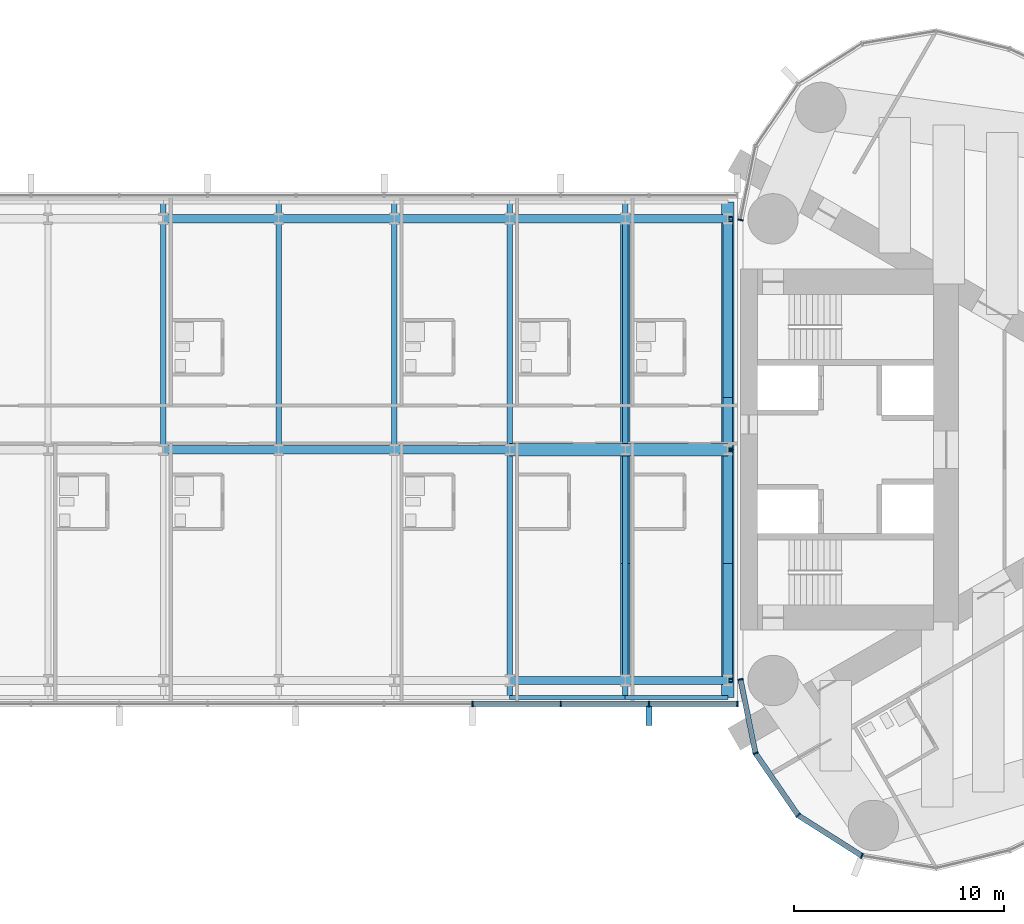
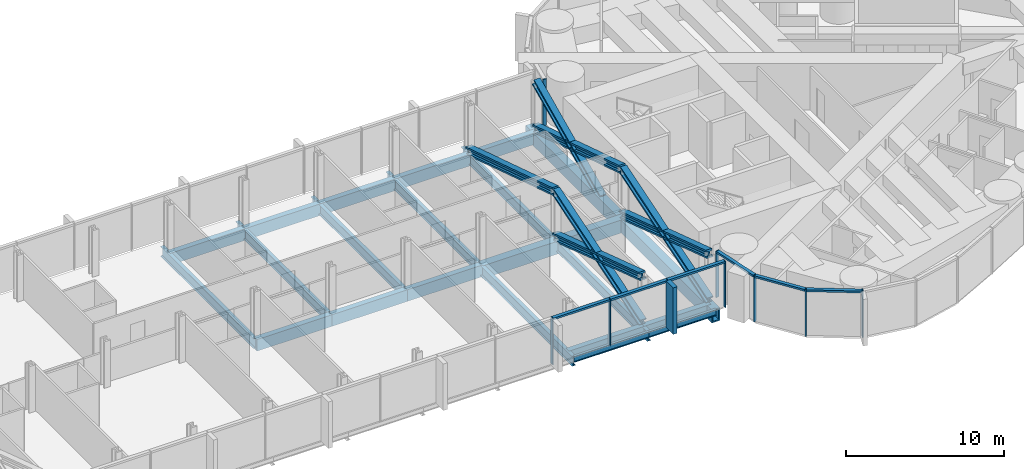
# One storey, part 8 of 23: 23 beams, 23 members, 2 elements without a shape of their own.
"""IFC4 building model written with IfcOpenShell, lengths in metres."""

from ifc_helpers import new_model, si_unit, direction, frame, origin, origin_2d, place, context, subcontext, project, spatial, rectangle, hollow_rectangle, i_section, extrude, material, material_profile, profile_set, type_object, element, aggregate, save


model = new_model("IFC4")

# Units and contexts
model_context = context("Model", 3, precision=1e-05, world=origin(), true_north=direction((0.0, 1.0)))
body_context = subcontext(model_context, "Body", "Model", "MODEL_VIEW")
ifc_project = project(units=[si_unit("LENGTHUNIT", "METRE"), si_unit("AREAUNIT", "SQUARE_METRE"), si_unit("VOLUMEUNIT", "CUBIC_METRE"), si_unit("PLANEANGLEUNIT", "RADIAN"), si_unit("MASSUNIT", "GRAM", prefix="KILO")], contexts=[model_context])

# Site, building, storey
site_placement = place(None, origin())
site = spatial("IfcSite", under=ifc_project, at=site_placement, CompositionType="ELEMENT")
building_placement = place(site_placement, origin())
building = spatial("IfcBuilding", under=site, at=building_placement, Name="Lancet Gate Hotel", CompositionType="ELEMENT")
storey_placement = place(building_placement, frame((0.0, 0.0, 240.5)))
storey = spatial("IfcBuildingStorey", under=building, at=storey_placement, Name="L64", CompositionType="ELEMENT", Elevation=240.5)

# Curtain wall, members
ifc_material_1 = material(Name="Aluminium curtain wall", Category="aluminium")
curtain_wall_type_1 = type_object("IfcCurtainWallType", Name="Tower unitised curtain wall", PredefinedType="USERDEFINED", material=ifc_material_1)
curtain_wall_1_placement = place(storey_placement, origin())
curtain_wall_1 = element("IfcCurtainWall", 1, at=curtain_wall_1_placement, inside=storey, type_object=curtain_wall_type_1, Name="T2 L64 curtain wall 1", ObjectType="UNITISED CURTAIN WALL", PredefinedType="USERDEFINED")
ifc_material_2 = material(Name="Aluminium mullion", Category="aluminium")
ifc_material_profile_1 = material_profile(ifc_material_2, rectangle(XDim=0.06494140625, YDim=0.25, at=origin_2d()), Name="MULLION 65x250")
ifc_profile_set_1 = profile_set([ifc_material_profile_1], Name="Aluminium mullion")
member_type_1 = type_object("IfcMemberType", Name="Aluminium mullion 65x250", PredefinedType="MULLION", material=ifc_profile_set_1)
member_1_placement = place(storey_placement, frame((27.5, -10.947998046875, 0.0), z_axis=(0.0, 0.0, 1.0), x_axis=(0.199533486841, -0.979891008036, 0.0)))
member_1 = element("IfcMember", 2, at=member_1_placement, type_object=member_type_1, Name="T2 L64 curtain wall 1 mullion 1", PredefinedType="MULLION", context=body_context, shape_type="SweptSolid", body=[
    extrude(rectangle(XDim=0.06494140625, YDim=0.25, at=origin_2d()), origin(), (0.0, 0.0, 1.0), 3.60009765625),
])
member_2_placement = place(storey_placement, frame((28.216552734375, -14.467529296875, 0.0), z_axis=(0.0, 0.0, 1.0), x_axis=(0.391042139098, -0.920372775265, 0.0)))
member_2 = element("IfcMember", 3, at=member_2_placement, type_object=member_type_1, Name="T2 L64 curtain wall 1 mullion 2", PredefinedType="MULLION", context=body_context, shape_type="SweptSolid", body=[
    extrude(rectangle(XDim=0.06494140625, YDim=0.25, at=origin_2d()), origin(), (0.0, 0.0, 1.0), 3.60009765625),
])
member_3_placement = place(storey_placement, frame((30.25244140625, -17.42626953125, 0.0), z_axis=(0.0, 0.0, 1.0), x_axis=(0.719809077627, -0.694172090886, 0.0)))
member_3 = element("IfcMember", 4, at=member_3_placement, type_object=member_type_1, Name="T2 L64 curtain wall 1 mullion 3", PredefinedType="MULLION", context=body_context, shape_type="SweptSolid", body=[
    extrude(rectangle(XDim=0.06494140625, YDim=0.25, at=origin_2d()), origin(), (0.0, 0.0, 1.0), 3.60009765625),
])
member_4_placement = place(storey_placement, frame((33.283203125, -19.353515625, 0.0), z_axis=(0.0, 0.0, 1.0), x_axis=(0.93394321776, -0.357421412343, 0.0)))
member_4 = element("IfcMember", 5, at=member_4_placement, type_object=member_type_1, Name="T2 L64 curtain wall 1 mullion 4", PredefinedType="MULLION", context=body_context, shape_type="SweptSolid", body=[
    extrude(rectangle(XDim=0.06494140625, YDim=0.25, at=origin_2d()), origin(), (0.0, 0.0, 1.0), 3.60009765625),
])
member_5_placement = place(storey_placement, frame((27.5, 10.947998046875, 0.0), z_axis=(0.0, 0.0, 1.0), x_axis=(-0.199533486841, -0.979891008036, 0.0)))
member_5 = element("IfcMember", 6, at=member_5_placement, type_object=member_type_1, Name="T2 L64 curtain wall 1 mullion 27", PredefinedType="MULLION", context=body_context, shape_type="SweptSolid", body=[
    extrude(rectangle(XDim=0.06494140625, YDim=0.25, at=origin_2d()), origin(), (0.0, 0.0, 1.0), 3.60009765625),
])

ifc_material_3 = material(Name="Aluminium curtain wall", Category="aluminium")
curtain_wall_type_2 = type_object("IfcCurtainWallType", Name="Bridge block curtain wall", PredefinedType="USERDEFINED", material=ifc_material_3)
curtain_wall_2_placement = place(storey_placement, origin())
curtain_wall_2 = element("IfcCurtainWall", 7, at=curtain_wall_2_placement, inside=storey, type_object=curtain_wall_type_2, Name="Bridge block L64 curtain wall S", ObjectType="UNITISED CURTAIN WALL", PredefinedType="USERDEFINED")
member_6_placement = place(storey_placement, frame((14.726806640625, -12.1201171875, 0.0), z_axis=(0.0, 0.0, 1.0), x_axis=(1.0, 0.0, 0.0)))
member_6 = element("IfcMember", 8, at=member_6_placement, type_object=member_type_1, Name="Bridge block L64 curtain wall S mullion 11", PredefinedType="MULLION", context=body_context, shape_type="SweptSolid", body=[
    extrude(rectangle(XDim=0.06494140625, YDim=0.25, at=origin_2d()), origin(), (0.0, 0.0, 1.0), 3.60009765625),
])
member_7_placement = place(storey_placement, frame((18.9345703125, -12.1201171875, 0.0), z_axis=(0.0, 0.0, 1.0), x_axis=(1.0, 0.0, 0.0)))
member_7 = element("IfcMember", 9, at=member_7_placement, type_object=member_type_1, Name="Bridge block L64 curtain wall S mullion 12", PredefinedType="MULLION", context=body_context, shape_type="SweptSolid", body=[
    extrude(rectangle(XDim=0.06494140625, YDim=0.25, at=origin_2d()), origin(), (0.0, 0.0, 1.0), 3.60009765625),
])
member_8_placement = place(storey_placement, frame((23.142333984375, -12.1201171875, 0.0), z_axis=(0.0, 0.0, 1.0), x_axis=(1.0, 0.0, 0.0)))
member_8 = element("IfcMember", 10, at=member_8_placement, type_object=member_type_1, Name="Bridge block L64 curtain wall S mullion 13", PredefinedType="MULLION", context=body_context, shape_type="SweptSolid", body=[
    extrude(rectangle(XDim=0.06494140625, YDim=0.25, at=origin_2d()), origin(), (0.0, 0.0, 1.0), 3.60009765625),
])
member_9_placement = place(storey_placement, frame((27.35009765625, -12.1201171875, 0.0), z_axis=(0.0, 0.0, 1.0), x_axis=(1.0, 0.0, 0.0)))
member_9 = element("IfcMember", 11, at=member_9_placement, type_object=member_type_1, Name="Bridge block L64 curtain wall S mullion 14", PredefinedType="MULLION", context=body_context, shape_type="SweptSolid", body=[
    extrude(rectangle(XDim=0.06494140625, YDim=0.25, at=origin_2d()), origin(), (0.0, 0.0, 1.0), 3.60009765625),
])

# Member
ifc_material_4 = material(Name="Aluminium transom", Category="aluminium")
ifc_material_profile_2 = material_profile(ifc_material_4, rectangle(XDim=0.25, YDim=0.14990234375, at=origin_2d()), Name="TRANSOM 250x150")
ifc_profile_set_2 = profile_set([ifc_material_profile_2], Name="Aluminium transom")
member_type_2 = type_object("IfcMemberType", Name="Aluminium transom 250x150", PredefinedType="USERDEFINED", material=ifc_profile_set_2)
member_10_placement = place(storey_placement, frame((27.506591796875, -10.97998046875, 3.52490234375), z_axis=(0.19952323725, -0.979893095086, 0.0), x_axis=(0.979893095086, 0.19952323725, 0.0)))
member_10 = element("IfcMember", 12, at=member_10_placement, type_object=member_type_2, Name="T2 L64 curtain wall 1 transom 1", ObjectType="TRANSOM", PredefinedType="USERDEFINED", context=body_context, shape_type="SweptSolid", body=[
    extrude(rectangle(XDim=0.25, YDim=0.14990234375, at=origin_2d()), origin(), (0.0, 0.0, 1.0), 3.5263671875),
])

member_11_placement = place(storey_placement, frame((28.235107421875, -14.494140625, 3.52490234375), z_axis=(0.566813768052, -0.82384595183, 0.0), x_axis=(0.82384595183, 0.566813768052, 0.0)))
member_11 = element("IfcMember", 13, at=member_11_placement, type_object=member_type_2, Name="T2 L64 curtain wall 1 transom 2", ObjectType="TRANSOM", PredefinedType="USERDEFINED", context=body_context, shape_type="SweptSolid", body=[
    extrude(rectangle(XDim=0.25, YDim=0.14990234375, at=origin_2d()), origin(), (0.0, 0.0, 1.0), 3.52685546875),
])

member_12_placement = place(storey_placement, frame((30.27978515625, -17.44384765625, 3.52490234375), z_axis=(0.84385811281, -0.536566384938, 0.0), x_axis=(0.536566384938, 0.84385811281, 0.0)))
member_12 = element("IfcMember", 14, at=member_12_placement, type_object=member_type_2, Name="T2 L64 curtain wall 1 transom 3", ObjectType="TRANSOM", PredefinedType="USERDEFINED", context=body_context, shape_type="SweptSolid", body=[
    extrude(rectangle(XDim=0.25, YDim=0.14990234375, at=origin_2d()), origin(), (0.0, 0.0, 1.0), 3.52685546875),
])

aggregate(curtain_wall_1, [member_1, member_2, member_3, member_4, member_5, member_10, member_11, member_12])

member_13_placement = place(storey_placement, frame((14.759521484375, -12.1201171875, 3.52490234375), z_axis=(1.0, 0.0, 0.0), x_axis=(0.0, 1.0, 0.0)))
member_13 = element("IfcMember", 15, at=member_13_placement, type_object=member_type_2, Name="Bridge block L64 curtain wall S transom 11", ObjectType="TRANSOM", PredefinedType="USERDEFINED", context=body_context, shape_type="SweptSolid", body=[
    extrude(rectangle(XDim=0.25, YDim=0.14990234375, at=origin_2d()), origin(), (0.0, 0.0, 1.0), 4.142578125),
])

member_14_placement = place(storey_placement, frame((18.967041015625, -12.1201171875, 3.52490234375), z_axis=(1.0, 0.0, 0.0), x_axis=(0.0, 1.0, 0.0)))
member_14 = element("IfcMember", 16, at=member_14_placement, type_object=member_type_2, Name="Bridge block L64 curtain wall S transom 12", ObjectType="TRANSOM", PredefinedType="USERDEFINED", context=body_context, shape_type="SweptSolid", body=[
    extrude(rectangle(XDim=0.25, YDim=0.14990234375, at=origin_2d()), origin(), (0.0, 0.0, 1.0), 4.142822265625),
])

member_15_placement = place(storey_placement, frame((23.1748046875, -12.1201171875, 3.52490234375), z_axis=(1.0, 0.0, 0.0), x_axis=(0.0, 1.0, 0.0)))
member_15 = element("IfcMember", 17, at=member_15_placement, type_object=member_type_2, Name="Bridge block L64 curtain wall S transom 13", ObjectType="TRANSOM", PredefinedType="USERDEFINED", context=body_context, shape_type="SweptSolid", body=[
    extrude(rectangle(XDim=0.25, YDim=0.14990234375, at=origin_2d()), origin(), (0.0, 0.0, 1.0), 4.142578125),
])

# Members
ifc_material_5 = material(Name="Steel S460", Category="steel")
ifc_material_profile_3 = material_profile(ifc_material_5, i_section(OverallWidth=0.4541015625, OverallDepth=0.569091796875, WebThickness=0.077880859375, FlangeThickness=0.125, FilletRadius=0.02001953125, at=origin_2d()), Name="HD 400x1086")
ifc_profile_set_3 = profile_set([ifc_material_profile_3], Name="Steel S460")
member_type_3 = type_object("IfcMemberType", Name="Block brace HD 400x1086", PredefinedType="BRACE", material=ifc_profile_set_3)
member_16_placement = place(storey_placement, frame((26.89990234375, -11.0, 0.0), z_axis=(0.0, 0.952925780013, 0.303203657277), x_axis=(-1.0, 0.0, 0.0)))
element("IfcMember", 18, at=member_16_placement, inside=storey, type_object=member_type_3, Name="Block brace EY11 L64", PredefinedType="BRACE", context=body_context, shape_type="SweptSolid", body=[
    extrude(i_section(OverallWidth=0.4541015625, OverallDepth=0.569091796875, WebThickness=0.077880859375, FlangeThickness=0.125, FilletRadius=0.02001953125, at=origin_2d()), origin(), (0.0, 0.0, 1.0), 11.54345703125),
])
member_17_placement = place(storey_placement, frame((26.89990234375, 0.0, 0.0), z_axis=(0.0, -0.950394634814, 0.311046681573), x_axis=(1.0, 0.0, 0.0)))
element("IfcMember", 19, at=member_17_placement, inside=storey, type_object=member_type_3, Name="Block brace EY12 L64", PredefinedType="BRACE", context=body_context, shape_type="SweptSolid", body=[
    extrude(i_section(OverallWidth=0.4541015625, OverallDepth=0.569091796875, WebThickness=0.077880859375, FlangeThickness=0.125, FilletRadius=0.02001953125, at=origin_2d()), origin(), (0.0, 0.0, 1.0), 11.57421875),
])
for number, where, z_axis, x_axis, name in (
    (20, (26.89990234375, 11.0, 0.0), (0.0, -0.952925780013, 0.303203657277), (1.0, 0.0, 0.0), "Block brace EY22 L64"),
    (21, (22.0, -11.0, 0.0), (0.0, 0.952925780013, 0.303203657277), (-1.0, 0.0, 0.0), "Block brace EI11 L64"),
):
    element("IfcMember", number, at=place(storey_placement, frame(where, z_axis=z_axis, x_axis=x_axis)), inside=storey, type_object=member_type_3, Name=name, PredefinedType="BRACE", context=body_context, shape_type="SweptSolid", body=[
        extrude(i_section(OverallWidth=0.4541015625, OverallDepth=0.569091796875, WebThickness=0.077880859375, FlangeThickness=0.125, FilletRadius=0.02001953125, at=origin_2d()), origin(), (0.0, 0.0, 1.0), 11.54345703125),
    ])
member_18_placement = place(storey_placement, frame((22.0, 0.0, 0.0), z_axis=(0.0, -0.950394634814, 0.311046681573), x_axis=(1.0, 0.0, 0.0)))
element("IfcMember", 22, at=member_18_placement, inside=storey, type_object=member_type_3, Name="Block brace EI12 L64", PredefinedType="BRACE", context=body_context, shape_type="SweptSolid", body=[
    extrude(i_section(OverallWidth=0.4541015625, OverallDepth=0.569091796875, WebThickness=0.077880859375, FlangeThickness=0.125, FilletRadius=0.02001953125, at=origin_2d()), origin(), (0.0, 0.0, 1.0), 11.57421875),
])
member_19_placement = place(storey_placement, frame((22.0, 11.0, 0.0), z_axis=(0.0, -0.952925780013, 0.303203657277), x_axis=(1.0, 0.0, 0.0)))
element("IfcMember", 23, at=member_19_placement, inside=storey, type_object=member_type_3, Name="Block brace EI22 L64", PredefinedType="BRACE", context=body_context, shape_type="SweptSolid", body=[
    extrude(i_section(OverallWidth=0.4541015625, OverallDepth=0.569091796875, WebThickness=0.077880859375, FlangeThickness=0.125, FilletRadius=0.02001953125, at=origin_2d()), origin(), (0.0, 0.0, 1.0), 11.54345703125),
])
member_20_placement = place(storey_placement, frame((26.89990234375, 2.60009765625, -0.300048828125), z_axis=(0.0, 0.907001056309, 0.42112834606), x_axis=(-1.0, 0.0, 0.0)))
element("IfcMember", 24, at=member_20_placement, inside=storey, type_object=member_type_3, Name="Block brace EY23 L64", PredefinedType="BRACE", context=body_context, shape_type="SweptSolid", body=[
    extrude(i_section(OverallWidth=0.4541015625, OverallDepth=0.569091796875, WebThickness=0.077880859375, FlangeThickness=0.125, FilletRadius=0.02001953125, at=origin_2d()), origin(), (0.0, 0.0, 1.0), 9.26123046875),
])

# Beams
ifc_material_6 = material(Name="Steel S355", Category="steel")
ifc_material_profile_4 = material_profile(ifc_material_6, i_section(OverallWidth=0.19140625, OverallDepth=0.4599609375, WebThickness=0.010009765625, FlangeThickness=0.01611328125, FilletRadius=0.01025390625, at=origin_2d()), Name="UKB 457x191x82")
ifc_profile_set_4 = profile_set([ifc_material_profile_4], Name="Steel S355")
beam_type_1 = type_object("IfcBeamType", Name="Block edge beam UKB 457x191x82", PredefinedType="SPANDREL", material=ifc_profile_set_4)
beam_1_placement = place(storey_placement, frame((16.5, -11.800048828125, -0.429931640625), z_axis=(1.0, 0.0, 0.0), x_axis=(0.0, 1.0, 0.0)))
element("IfcBeam", 25, at=beam_1_placement, inside=storey, type_object=beam_type_1, Name="Block edge beam S 8-9 L64", PredefinedType="SPANDREL", context=body_context, shape_type="SweptSolid", body=[
    extrude(i_section(OverallWidth=0.19140625, OverallDepth=0.4599609375, WebThickness=0.010009765625, FlangeThickness=0.01611328125, FilletRadius=0.01025390625, at=origin_2d()), origin(), (0.0, 0.0, 1.0), 5.5),
])
beam_2_placement = place(storey_placement, frame((22.0, -11.800048828125, -0.429931640625), z_axis=(1.0, 0.0, 0.0), x_axis=(0.0, 1.0, 0.0)))
element("IfcBeam", 26, at=beam_2_placement, inside=storey, type_object=beam_type_1, Name="Block edge beam S 9-10 L64", PredefinedType="SPANDREL", context=body_context, shape_type="SweptSolid", body=[
    extrude(i_section(OverallWidth=0.19140625, OverallDepth=0.4599609375, WebThickness=0.010009765625, FlangeThickness=0.01611328125, FilletRadius=0.01025390625, at=origin_2d()), origin(), (0.0, 0.0, 1.0), 4.89990234375),
])
ifc_material_7 = material(Name="Steel S460QL", Category="steel")
ifc_material_profile_5 = material_profile(ifc_material_7, hollow_rectangle(XDim=0.60009765625, YDim=1.0, WallThickness=0.10009765625, at=origin_2d()), Name="BOX 1000x600x100")
ifc_profile_set_5 = profile_set([ifc_material_profile_5], Name="Steel S460QL")
beam_type_2 = type_object("IfcBeamType", Name="Block end beam BOX 1000x600x100", PredefinedType="BEAM", material=ifc_profile_set_5)
for number, where, z_axis, x_axis, name in (
    (27, (26.89990234375, -11.800048828125, -0.699951171875), (0.0, 1.0, 0.0), (-1.0, 0.0, 0.0), "Block beam x10 S L64"),
    (28, (26.89990234375, 0.0, -0.699951171875), (0.0, 1.0, 0.0), (-1.0, 0.0, 0.0), "Block beam x10 N L64"),
):
    element("IfcBeam", number, at=place(storey_placement, frame(where, z_axis=z_axis, x_axis=x_axis)), inside=storey, type_object=beam_type_2, Name=name, PredefinedType="BEAM", context=body_context, shape_type="SweptSolid", body=[
        extrude(hollow_rectangle(XDim=0.60009765625, YDim=1.0, WallThickness=0.10009765625, at=origin_2d()), origin(), (0.0, 0.0, 1.0), 11.800048828125),
    ])
ifc_material_8 = material(Name="Steel S460QL", Category="steel")
ifc_material_profile_6 = material_profile(ifc_material_8, hollow_rectangle(XDim=0.60009765625, YDim=1.0, WallThickness=0.080078125, at=origin_2d()), Name="BOX 1000x600x80")
ifc_profile_set_6 = profile_set([ifc_material_profile_6], Name="Steel S460QL")
beam_type_3 = type_object("IfcBeamType", Name="Block primary beam BOX 1000x600x80", PredefinedType="BEAM", material=ifc_profile_set_6)
beam_3_placement = place(storey_placement, frame((16.5, 0.0, -0.699951171875), z_axis=(1.0, 0.0, 0.0), x_axis=(0.0, 1.0, 0.0)))
element("IfcBeam", 29, at=beam_3_placement, inside=storey, type_object=beam_type_3, Name="Block primary beam M 9 L64", PredefinedType="BEAM", context=body_context, shape_type="SweptSolid", body=[
    extrude(hollow_rectangle(XDim=0.60009765625, YDim=1.0, WallThickness=0.080078125, at=origin_2d()), origin(), (0.0, 0.0, 1.0), 5.5),
])
beam_4_placement = place(storey_placement, frame((22.0, 0.0, -0.699951171875), z_axis=(1.0, 0.0, 0.0), x_axis=(0.0, 1.0, 0.0)))
element("IfcBeam", 30, at=beam_4_placement, inside=storey, type_object=beam_type_3, Name="Block primary beam M 10 L64", PredefinedType="BEAM", context=body_context, shape_type="SweptSolid", body=[
    extrude(hollow_rectangle(XDim=0.60009765625, YDim=1.0, WallThickness=0.080078125, at=origin_2d()), origin(), (0.0, 0.0, 1.0), 4.89990234375),
])
ifc_material_9 = material(Name="Steel S355", Category="steel")
ifc_material_profile_7 = material_profile(ifc_material_9, hollow_rectangle(XDim=0.39990234375, YDim=0.89990234375, WallThickness=0.0400390625, at=origin_2d()), Name="BOX 900x400x40")
ifc_profile_set_7 = profile_set([ifc_material_profile_7], Name="Steel S355")
beam_type_4 = type_object("IfcBeamType", Name="Block primary beam BOX 900x400x40", PredefinedType="BEAM", material=ifc_profile_set_7)
beam_5_placement = place(storey_placement, frame((16.5, -11.0, -0.64990234375), z_axis=(1.0, 0.0, 0.0), x_axis=(0.0, 1.0, 0.0)))
element("IfcBeam", 31, at=beam_5_placement, inside=storey, type_object=beam_type_4, Name="Block primary beam S 9 L64", PredefinedType="BEAM", context=body_context, shape_type="SweptSolid", body=[
    extrude(hollow_rectangle(XDim=0.39990234375, YDim=0.89990234375, WallThickness=0.0400390625, at=origin_2d()), origin(), (0.0, 0.0, 1.0), 5.5),
])
beam_6_placement = place(storey_placement, frame((22.0, -11.0, -0.64990234375), z_axis=(1.0, 0.0, 0.0), x_axis=(0.0, 1.0, 0.0)))
element("IfcBeam", 32, at=beam_6_placement, inside=storey, type_object=beam_type_4, Name="Block primary beam S 10 L64", PredefinedType="BEAM", context=body_context, shape_type="SweptSolid", body=[
    extrude(hollow_rectangle(XDim=0.39990234375, YDim=0.89990234375, WallThickness=0.0400390625, at=origin_2d()), origin(), (0.0, 0.0, 1.0), 4.89990234375),
])
for number, where, z_axis, x_axis, name in (
    (33, (0.0, 0.0, -0.64990234375), (1.0, 0.0, 0.0), (0.0, 1.0, 0.0), "Block primary beam M 6 L64"),
    (34, (5.5, 0.0, -0.64990234375), (1.0, 0.0, 0.0), (0.0, 1.0, 0.0), "Block primary beam M 7 L64"),
    (35, (11.0, 0.0, -0.64990234375), (1.0, 0.0, 0.0), (0.0, 1.0, 0.0), "Block primary beam M 8 L64"),
    (36, (0.0, 11.0, -0.64990234375), (1.0, 0.0, 0.0), (0.0, 1.0, 0.0), "Block primary beam N 6 L64"),
    (37, (5.5, 11.0, -0.64990234375), (1.0, 0.0, 0.0), (0.0, 1.0, 0.0), "Block primary beam N 7 L64"),
    (38, (11.0, 11.0, -0.64990234375), (1.0, 0.0, 0.0), (0.0, 1.0, 0.0), "Block primary beam N 8 L64"),
    (39, (16.5, 11.0, -0.64990234375), (1.0, 0.0, 0.0), (0.0, 1.0, 0.0), "Block primary beam N 9 L64"),
):
    element("IfcBeam", number, at=place(storey_placement, frame(where, z_axis=z_axis, x_axis=x_axis)), inside=storey, type_object=beam_type_4, Name=name, PredefinedType="BEAM", context=body_context, shape_type="SweptSolid", body=[
        extrude(hollow_rectangle(XDim=0.39990234375, YDim=0.89990234375, WallThickness=0.0400390625, at=origin_2d()), origin(), (0.0, 0.0, 1.0), 5.5),
    ])
beam_7_placement = place(storey_placement, frame((22.0, 11.0, -0.64990234375), z_axis=(1.0, 0.0, 0.0), x_axis=(0.0, 1.0, 0.0)))
element("IfcBeam", 40, at=beam_7_placement, inside=storey, type_object=beam_type_4, Name="Block primary beam N 10 L64", PredefinedType="BEAM", context=body_context, shape_type="SweptSolid", body=[
    extrude(hollow_rectangle(XDim=0.39990234375, YDim=0.89990234375, WallThickness=0.0400390625, at=origin_2d()), origin(), (0.0, 0.0, 1.0), 4.89990234375),
])
ifc_material_10 = material(Name="Steel S355", Category="steel")
ifc_material_profile_8 = material_profile(ifc_material_10, i_section(OverallWidth=0.26806640625, OverallDepth=0.769775390625, WebThickness=0.015625, FlangeThickness=0.025390625, FilletRadius=0.0166015625, at=origin_2d()), Name="UKB 762x267x197")
ifc_profile_set_8 = profile_set([ifc_material_profile_8], Name="Steel S355")
beam_type_5 = type_object("IfcBeamType", Name="Block secondary beam UKB 762x267x197", PredefinedType="JOIST", material=ifc_profile_set_8)
for number, where, z_axis, x_axis, name in (
    (41, (0.0, 0.0, -0.5849609375), (0.0, 1.0, 0.0), (-1.0, 0.0, 0.0), "Block beam x5 N L64"),
    (42, (5.5, 0.0, -0.5849609375), (0.0, 1.0, 0.0), (-1.0, 0.0, 0.0), "Block beam x6 N L64"),
    (43, (11.0, 0.0, -0.5849609375), (0.0, 1.0, 0.0), (-1.0, 0.0, 0.0), "Block beam x7 N L64"),
    (44, (16.5, -11.800048828125, -0.5849609375), (0.0, 1.0, 0.0), (-1.0, 0.0, 0.0), "Block beam x8 S L64"),
    (45, (16.5, 0.0, -0.5849609375), (0.0, 1.0, 0.0), (-1.0, 0.0, 0.0), "Block beam x8 N L64"),
    (46, (22.0, -11.800048828125, -0.5849609375), (0.0, 1.0, 0.0), (-1.0, 0.0, 0.0), "Block beam x9 S L64"),
    (47, (22.0, 0.0, -0.5849609375), (0.0, 1.0, 0.0), (-1.0, 0.0, 0.0), "Block beam x9 N L64"),
):
    element("IfcBeam", number, at=place(storey_placement, frame(where, z_axis=z_axis, x_axis=x_axis)), inside=storey, type_object=beam_type_5, Name=name, PredefinedType="JOIST", context=body_context, shape_type="SweptSolid", body=[
        extrude(i_section(OverallWidth=0.26806640625, OverallDepth=0.769775390625, WebThickness=0.015625, FlangeThickness=0.025390625, FilletRadius=0.0166015625, at=origin_2d()), origin(), (0.0, 0.0, 1.0), 11.800048828125),
    ])

# Member
ifc_material_11 = material(Name="Precast concrete C50/60", Category="concrete")
ifc_material_profile_9 = material_profile(ifc_material_11, rectangle(XDim=0.300048828125, YDim=0.89990234375, at=origin_2d()), Name="FIN 300x900")
ifc_profile_set_9 = profile_set([ifc_material_profile_9], Name="Precast concrete C50/60")
member_type_4 = type_object("IfcMemberType", Name="Exposed concrete fin 300x900", PredefinedType="USERDEFINED", material=ifc_profile_set_9)
member_21_placement = place(storey_placement, frame((23.142333984375, -12.695068359375, 0.0), z_axis=(0.0, 0.0, 1.0), x_axis=(1.0, 0.0, 0.0)))
member_21 = element("IfcMember", 48, at=member_21_placement, type_object=member_type_4, Name="Bridge block L64 curtain wall S fin 13", ObjectType="FIN", PredefinedType="USERDEFINED", context=body_context, shape_type="SweptSolid", body=[
    extrude(rectangle(XDim=0.300048828125, YDim=0.89990234375, at=origin_2d()), origin(), (0.0, 0.0, 1.0), 3.60009765625),
])

aggregate(curtain_wall_2, [member_6, member_7, member_8, member_21, member_9, member_13, member_14, member_15])

save(model, "model.ifc")
